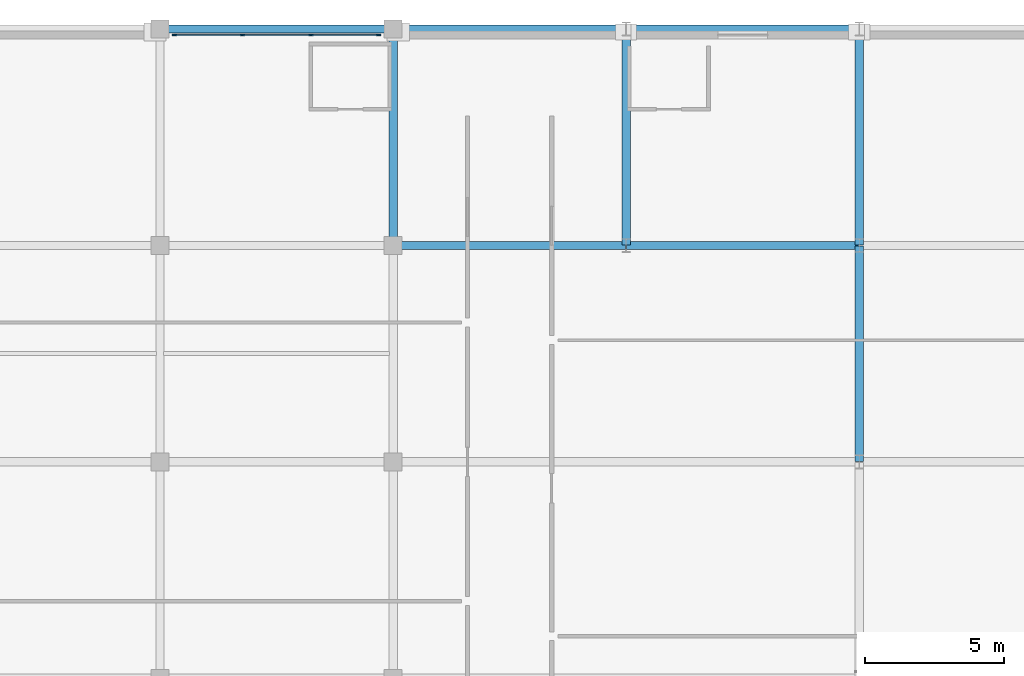
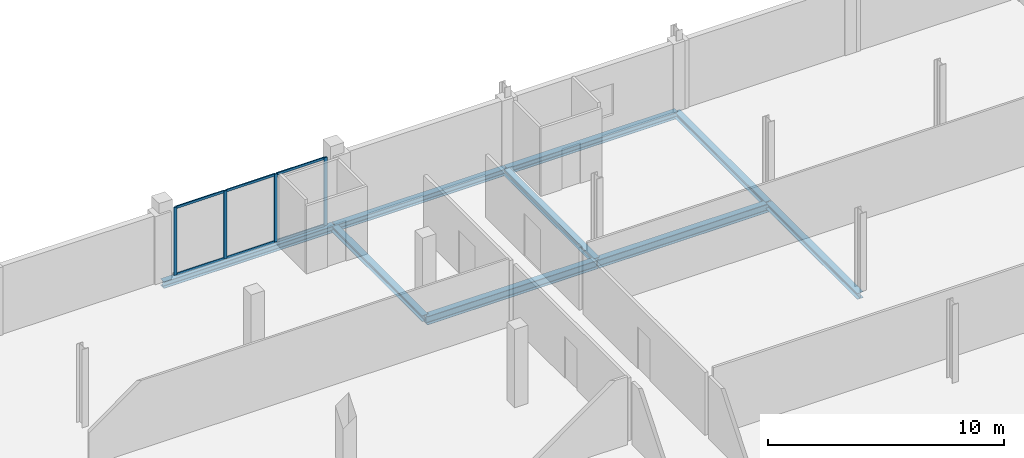
# One storey, part 16 of 41: 10 members, 9 beams, 1 element without a shape of its own.
"""IFC4 building model written with IfcOpenShell, lengths in metres."""

from ifc_helpers import new_model, si_unit, direction, frame, origin, origin_2d, place, context, subcontext, project, spatial, rectangle, i_section, extrude, material, material_profile, profile_set, type_object, element, aggregate, save


model = new_model("IFC4")

# Units and contexts
model_context = context("Model", 3, precision=1e-05, world=origin(), true_north=direction((0.0, 1.0)))
body_context = subcontext(model_context, "Body", "Model", "MODEL_VIEW")
ifc_project = project(units=[si_unit("LENGTHUNIT", "METRE"), si_unit("AREAUNIT", "SQUARE_METRE"), si_unit("VOLUMEUNIT", "CUBIC_METRE"), si_unit("PLANEANGLEUNIT", "RADIAN"), si_unit("MASSUNIT", "GRAM", prefix="KILO")], contexts=[model_context])

# Site, building, storey
site_placement = place(None, origin())
site = spatial("IfcSite", under=ifc_project, at=site_placement, CompositionType="ELEMENT")
building_placement = place(site_placement, origin())
building = spatial("IfcBuilding", under=site, at=building_placement, Name="Nabrawat Pavilion Hospital", CompositionType="ELEMENT")
storey_placement = place(building_placement, frame((0.0, 0.0, 18.89990234375)))
storey = spatial("IfcBuildingStorey", under=building, at=storey_placement, Name="L04", CompositionType="ELEMENT", Elevation=18.89990234375)

# Curtain wall, members
ifc_material_1 = material(Name="Anodised Aluminium", Category="aluminium")
curtain_wall_type = type_object("IfcCurtainWallType", Name="Inpatient Dayroom Bay Curtain Wall", PredefinedType="USERDEFINED", material=ifc_material_1)
curtain_wall_placement = place(storey_placement, origin())
curtain_wall = element("IfcCurtainWall", 1, at=curtain_wall_placement, inside=storey, type_object=curtain_wall_type, Name="L04 Inpatient Dayroom Bay Curtain Wall 147", ObjectType="CURTAIN WALL", PredefinedType="USERDEFINED")
ifc_material_profile_1 = material_profile(ifc_material_1, rectangle(XDim=0.06005859375, YDim=0.159912109375, at=origin_2d()), Name="CWM 60x160")
ifc_profile_set_1 = profile_set([ifc_material_profile_1], Name="Anodised Aluminium")
member_type_1 = type_object("IfcMemberType", Name="Inpatient Dayroom Bay Curtain Wall Mullion CWM 60x160", PredefinedType="MULLION", material=ifc_profile_set_1)
member_1_placement = place(storey_placement, frame((151.72509765625, 124.580078125, 0.0), z_axis=(0.0, 0.0, 1.0), x_axis=(0.0, 1.0, 0.0)))
member_1 = element("IfcMember", 2, at=member_1_placement, type_object=member_type_1, Name="CW-WRD-01 mullion 1", PredefinedType="MULLION", context=body_context, shape_type="SweptSolid", body=[
    extrude(rectangle(XDim=0.06005859375, YDim=0.159912109375, at=origin_2d()), origin(), (0.0, 0.0, 1.0), 3.52001953125),
])
member_2_placement = place(storey_placement, frame((154.1650390625, 124.580078125, 0.0), z_axis=(0.0, 0.0, 1.0), x_axis=(0.0, 1.0, 0.0)))
member_2 = element("IfcMember", 3, at=member_2_placement, type_object=member_type_1, Name="CW-WRD-01 mullion 2", PredefinedType="MULLION", context=body_context, shape_type="SweptSolid", body=[
    extrude(rectangle(XDim=0.06005859375, YDim=0.159912109375, at=origin_2d()), origin(), (0.0, 0.0, 1.0), 3.52001953125),
])
member_3_placement = place(storey_placement, frame((156.635009765625, 124.580078125, 0.0), z_axis=(0.0, 0.0, 1.0), x_axis=(0.0, 1.0, 0.0)))
member_3 = element("IfcMember", 4, at=member_3_placement, type_object=member_type_1, Name="CW-WRD-01 mullion 3", PredefinedType="MULLION", context=body_context, shape_type="SweptSolid", body=[
    extrude(rectangle(XDim=0.06005859375, YDim=0.159912109375, at=origin_2d()), origin(), (0.0, 0.0, 1.0), 3.52001953125),
])
member_4_placement = place(storey_placement, frame((159.074951171875, 124.580078125, 0.0), z_axis=(0.0, 0.0, 1.0), x_axis=(0.0, 1.0, 0.0)))
member_4 = element("IfcMember", 5, at=member_4_placement, type_object=member_type_1, Name="CW-WRD-01 mullion 4", PredefinedType="MULLION", context=body_context, shape_type="SweptSolid", body=[
    extrude(rectangle(XDim=0.06005859375, YDim=0.159912109375, at=origin_2d()), origin(), (0.0, 0.0, 1.0), 3.52001953125),
])
ifc_material_profile_2 = material_profile(ifc_material_1, rectangle(XDim=0.06005859375, YDim=0.1201171875, at=origin_2d()), Name="CWT 60x120")
ifc_profile_set_2 = profile_set([ifc_material_profile_2], Name="Anodised Aluminium")
member_type_2 = type_object("IfcMemberType", Name="Inpatient Dayroom Bay Curtain Wall Transom CWT 60x120", PredefinedType="USERDEFINED", material=ifc_profile_set_2)
member_5_placement = place(storey_placement, frame((151.7548828125, 124.580078125, 0.030029296875), z_axis=(1.0, 0.0, 0.0), x_axis=(0.0, 1.0, 0.0)))
member_5 = element("IfcMember", 6, at=member_5_placement, type_object=member_type_2, Name="CW-WRD-01 transom 1.1", ObjectType="TRANSOM", PredefinedType="USERDEFINED", context=body_context, shape_type="SweptSolid", body=[
    extrude(rectangle(XDim=0.06005859375, YDim=0.1201171875, at=origin_2d()), origin(), (0.0, 0.0, 1.0), 2.380126953125),
])
member_6_placement = place(storey_placement, frame((151.7548828125, 124.580078125, 3.489990234375), z_axis=(1.0, 0.0, 0.0), x_axis=(0.0, 1.0, 0.0)))
member_6 = element("IfcMember", 7, at=member_6_placement, type_object=member_type_2, Name="CW-WRD-01 transom 1.2", ObjectType="TRANSOM", PredefinedType="USERDEFINED", context=body_context, shape_type="SweptSolid", body=[
    extrude(rectangle(XDim=0.06005859375, YDim=0.1201171875, at=origin_2d()), origin(), (0.0, 0.0, 1.0), 2.380126953125),
])
member_7_placement = place(storey_placement, frame((154.195068359375, 124.580078125, 0.030029296875), z_axis=(1.0, 0.0, 0.0), x_axis=(0.0, 1.0, 0.0)))
member_7 = element("IfcMember", 8, at=member_7_placement, type_object=member_type_2, Name="CW-WRD-01 transom 2.1", ObjectType="TRANSOM", PredefinedType="USERDEFINED", context=body_context, shape_type="SweptSolid", body=[
    extrude(rectangle(XDim=0.06005859375, YDim=0.1201171875, at=origin_2d()), origin(), (0.0, 0.0, 1.0), 2.409912109375),
])
member_8_placement = place(storey_placement, frame((154.195068359375, 124.580078125, 3.489990234375), z_axis=(1.0, 0.0, 0.0), x_axis=(0.0, 1.0, 0.0)))
member_8 = element("IfcMember", 9, at=member_8_placement, type_object=member_type_2, Name="CW-WRD-01 transom 2.2", ObjectType="TRANSOM", PredefinedType="USERDEFINED", context=body_context, shape_type="SweptSolid", body=[
    extrude(rectangle(XDim=0.06005859375, YDim=0.1201171875, at=origin_2d()), origin(), (0.0, 0.0, 1.0), 2.409912109375),
])
member_9_placement = place(storey_placement, frame((156.6650390625, 124.580078125, 0.030029296875), z_axis=(1.0, 0.0, 0.0), x_axis=(0.0, 1.0, 0.0)))
member_9 = element("IfcMember", 10, at=member_9_placement, type_object=member_type_2, Name="CW-WRD-01 transom 3.1", ObjectType="TRANSOM", PredefinedType="USERDEFINED", context=body_context, shape_type="SweptSolid", body=[
    extrude(rectangle(XDim=0.06005859375, YDim=0.1201171875, at=origin_2d()), origin(), (0.0, 0.0, 1.0), 2.3798828125),
])
member_10_placement = place(storey_placement, frame((156.6650390625, 124.580078125, 3.489990234375), z_axis=(1.0, 0.0, 0.0), x_axis=(0.0, 1.0, 0.0)))
member_10 = element("IfcMember", 11, at=member_10_placement, type_object=member_type_2, Name="CW-WRD-01 transom 3.2", ObjectType="TRANSOM", PredefinedType="USERDEFINED", context=body_context, shape_type="SweptSolid", body=[
    extrude(rectangle(XDim=0.06005859375, YDim=0.1201171875, at=origin_2d()), origin(), (0.0, 0.0, 1.0), 2.3798828125),
])
aggregate(curtain_wall, [member_1, member_2, member_3, member_4, member_5, member_6, member_7, member_8, member_9, member_10])

# Beams
ifc_material_2 = material(Name="Steel S355", Category="steel")
ifc_material_profile_3 = material_profile(ifc_material_2, i_section(OverallWidth=0.300048828125, OverallDepth=0.43994140625, WebThickness=0.011474609375, FlangeThickness=0.02099609375, FilletRadius=0.027099609375, at=origin_2d()), Name="HEA 450")
ifc_profile_set_3 = profile_set([ifc_material_profile_3], Name="Steel S355")
beam_type_1 = type_object("IfcBeamType", Name="Mid-Tier Ward Girder HEA 450", PredefinedType="USERDEFINED", material=ifc_profile_set_3)
for number, where, z_axis, x_axis, name in (
    (12, (159.6201171875, 117.0, -0.4599609375), (1.0, 0.0, 0.0), (0.0, 1.0, 0.0), "L04 Primary X Girder 1851"),
    (13, (168.02001953125, 117.0, -0.4599609375), (1.0, 0.0, 0.0), (0.0, 1.0, 0.0), "L04 Primary X Girder 1852"),
):
    element("IfcBeam", number, at=place(storey_placement, frame(where, z_axis=z_axis, x_axis=x_axis)), inside=storey, type_object=beam_type_1, Name=name, ObjectType="GIRDER", PredefinedType="USERDEFINED", context=body_context, shape_type="SweptSolid", body=[
        extrude(i_section(OverallWidth=0.300048828125, OverallDepth=0.43994140625, WebThickness=0.011474609375, FlangeThickness=0.02099609375, FilletRadius=0.027099609375, at=origin_2d()), origin(), (0.0, 0.0, 1.0), 8.35986328125),
    ])
ifc_material_profile_4 = material_profile(ifc_material_2, i_section(OverallWidth=0.300048828125, OverallDepth=0.340087890625, WebThickness=0.011962890625, FlangeThickness=0.021484375, FilletRadius=0.027099609375, at=origin_2d()), Name="HEB 340")
ifc_profile_set_4 = profile_set([ifc_material_profile_4], Name="Steel S355")
beam_type_2 = type_object("IfcBeamType", Name="Ward Perimeter Spandrel Beam HEB 340", PredefinedType="SPANDREL", material=ifc_profile_set_4)
beam_placement = place(storey_placement, frame((151.219970703125, 124.800048828125, -0.409912109375), z_axis=(1.0, 0.0, 0.0), x_axis=(0.0, 1.0, 0.0)))
element("IfcBeam", 14, at=beam_placement, inside=storey, type_object=beam_type_2, Name="L04 Primary X Girder 1857", PredefinedType="SPANDREL", context=body_context, shape_type="SweptSolid", body=[
    extrude(i_section(OverallWidth=0.300048828125, OverallDepth=0.340087890625, WebThickness=0.011962890625, FlangeThickness=0.021484375, FilletRadius=0.027099609375, at=origin_2d()), origin(), (0.0, 0.0, 1.0), 8.360107421875),
])
for number, where, z_axis, x_axis, name in (
    (15, (159.6201171875, 124.800048828125, -0.409912109375), (1.0, 0.0, 0.0), (0.0, 1.0, 0.0), "L04 Primary X Girder 1858"),
    (16, (168.02001953125, 124.800048828125, -0.409912109375), (1.0, 0.0, 0.0), (0.0, 1.0, 0.0), "L04 Primary X Girder 1859"),
):
    element("IfcBeam", number, at=place(storey_placement, frame(where, z_axis=z_axis, x_axis=x_axis)), inside=storey, type_object=beam_type_2, Name=name, PredefinedType="SPANDREL", context=body_context, shape_type="SweptSolid", body=[
        extrude(i_section(OverallWidth=0.300048828125, OverallDepth=0.340087890625, WebThickness=0.011962890625, FlangeThickness=0.021484375, FilletRadius=0.027099609375, at=origin_2d()), origin(), (0.0, 0.0, 1.0), 8.35986328125),
    ])
ifc_material_profile_5 = material_profile(ifc_material_2, i_section(OverallWidth=0.300048828125, OverallDepth=0.31005859375, WebThickness=0.009033203125, FlangeThickness=0.015380859375, FilletRadius=0.027099609375, at=origin_2d()), Name="HEA 320")
ifc_profile_set_5 = profile_set([ifc_material_profile_5], Name="Steel S355")
beam_type_3 = type_object("IfcBeamType", Name="Ward Spine Beam HEA 320", PredefinedType="BEAM", material=ifc_profile_set_5)
for number, where, z_axis, x_axis, name in (
    (17, (159.60009765625, 117.02001953125, -0.39501953125), (0.0, 1.0, 0.0), (-1.0, 0.0, 0.0), "L04 Primary Y Beam 1926"),
    (18, (168.0, 117.02001953125, -0.39501953125), (0.0, 1.0, 0.0), (-1.0, 0.0, 0.0), "L04 Primary Y Beam 1935"),
    (19, (176.39990234375, 109.219970703125, -0.39501953125), (0.0, 1.0, 0.0), (-1.0, 0.0, 0.0), "L04 Primary Y Beam 1950"),
    (20, (176.39990234375, 117.02001953125, -0.39501953125), (0.0, 1.0, 0.0), (-1.0, 0.0, 0.0), "L04 Primary Y Beam 1951"),
):
    element("IfcBeam", number, at=place(storey_placement, frame(where, z_axis=z_axis, x_axis=x_axis)), inside=storey, type_object=beam_type_3, Name=name, PredefinedType="BEAM", context=body_context, shape_type="SweptSolid", body=[
        extrude(i_section(OverallWidth=0.300048828125, OverallDepth=0.31005859375, WebThickness=0.009033203125, FlangeThickness=0.015380859375, FilletRadius=0.027099609375, at=origin_2d()), origin(), (0.0, 0.0, 1.0), 7.760009765625),
    ])

save(model, "model.ifc")
